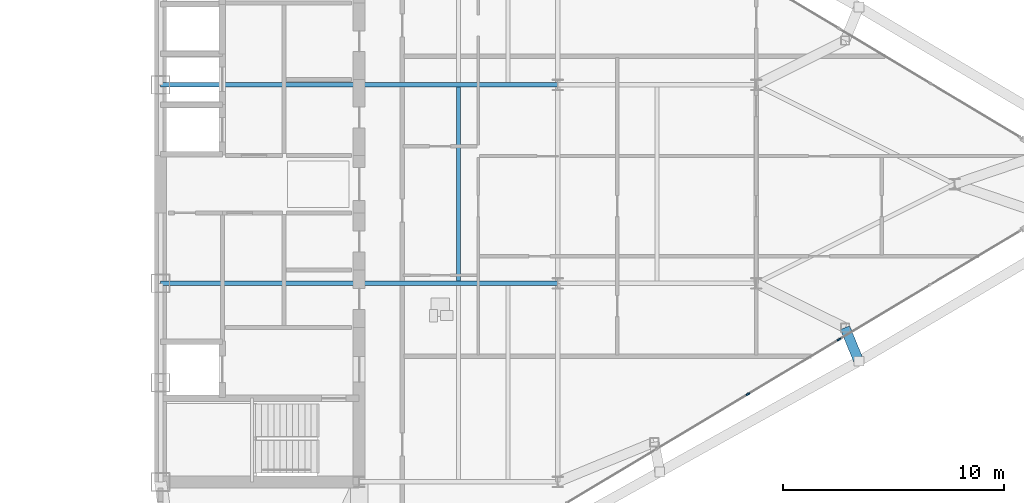
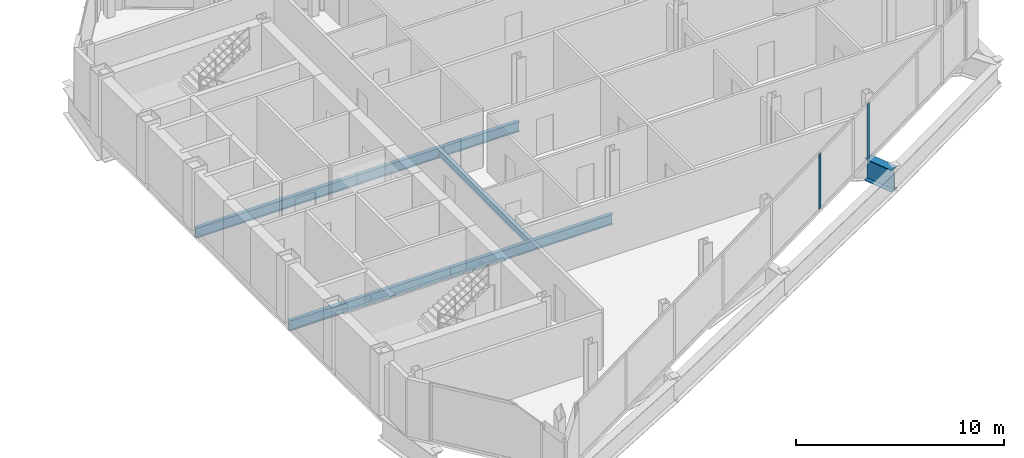
# One storey, part 15 of 29: 6 beams, 2 members, 1 element without a shape of its own.
"""IFC4 building model written with IfcOpenShell, lengths in metres."""

from ifc_helpers import new_model, si_unit, direction, frame, origin, origin_2d, place, context, subcontext, project, spatial, rectangle, i_section, extrude, source, transform, mapped, material, layer, layer_set, material_profile, profile_set, type_object, type_shapes, element, aggregate, save


model = new_model("IFC4")

# Units and contexts
model_context = context("Model", 3, precision=1e-05, world=origin(), true_north=direction((0.0, 1.0)))
body_context = subcontext(model_context, "Body", "Model", "MODEL_VIEW")
ifc_project = project(units=[si_unit("LENGTHUNIT", "METRE"), si_unit("AREAUNIT", "SQUARE_METRE"), si_unit("VOLUMEUNIT", "CUBIC_METRE"), si_unit("PLANEANGLEUNIT", "RADIAN"), si_unit("MASSUNIT", "GRAM", prefix="KILO")], contexts=[model_context])

# Site, building, storey
site_placement = place(None, origin())
site = spatial("IfcSite", under=ifc_project, at=site_placement, CompositionType="ELEMENT")
building_placement = place(site_placement, origin())
building = spatial("IfcBuilding", under=site, at=building_placement, Name="Seokmaru Belvedere", CompositionType="ELEMENT")
storey_placement = place(building_placement, frame((0.0, 0.0, 195.89990234375)))
storey = spatial("IfcBuildingStorey", under=building, at=storey_placement, Name="L52", CompositionType="ELEMENT", Elevation=195.89990234375)

# Beams
ifc_material_1 = material(Name="Steel SM355 (355 MPa)", Category="steel")
ifc_material_profile_1 = material_profile(ifc_material_1, i_section(OverallWidth=0.199951171875, OverallDepth=0.60009765625, WebThickness=0.010986328125, FlangeThickness=0.01708984375, at=origin_2d()), Name="H-600x200x11x17")
ifc_profile_set_1 = profile_set([ifc_material_profile_1], Name="Steel SM355 (355 MPa)")
beam_type_1 = type_object("IfcBeamType", Name="Primary Floor Girder H-600", PredefinedType="BEAM", material=ifc_profile_set_1)
shared_shape_1 = source(origin(), body_context, "Body", "SweptSolid", [
    extrude(i_section(OverallWidth=0.199951171875, OverallDepth=0.60009765625, WebThickness=0.010986328125, FlangeThickness=0.01708984375, at=origin_2d()), origin(), (0.0, 0.0, 1.0), 9.0),
])
type_shapes(beam_type_1, [shared_shape_1])
for number, where, z_axis, x_axis, name in (
    (1, (27.5, -4.5, -0.52001953125), (1.0, 0.0, 0.0), (0.0, 1.0, 0.0), "L52 E Core Tie Girder 2"),
    (2, (36.5, -4.5, -0.52001953125), (1.0, 0.0, 0.0), (0.0, 1.0, 0.0), "L52 E Wing Primary Girder 2"),
    (3, (27.5, 4.5, -0.52001953125), (1.0, 0.0, 0.0), (0.0, 1.0, 0.0), "L52 E Core Tie Girder 3"),
    (4, (36.5, 4.5, -0.52001953125), (1.0, 0.0, 0.0), (0.0, 1.0, 0.0), "L52 E Wing Primary Girder 3"),
):
    element("IfcBeam", number, at=place(storey_placement, frame(where, z_axis=z_axis, x_axis=x_axis)), inside=storey, type_object=beam_type_1, Name=name, PredefinedType="BEAM", context=body_context, shape_type="MappedRepresentation", body=[
        mapped(shared_shape_1, transform((0.0, 0.0, 0.0), scale=1.0)),
    ])
ifc_material_profile_2 = material_profile(ifc_material_1, i_section(OverallWidth=0.18505859375, OverallDepth=0.389892578125, WebThickness=0.008056640625, FlangeThickness=0.011962890625, at=origin_2d()), Name="H-390x185x8x12")
ifc_profile_set_2 = profile_set([ifc_material_profile_2], Name="Steel SM355 (355 MPa)")
beam_type_2 = type_object("IfcBeamType", Name="Secondary Floor Joist H-350", PredefinedType="JOIST", material=ifc_profile_set_2)
shared_shape_2 = source(origin(), body_context, "Body", "SweptSolid", [
    extrude(i_section(OverallWidth=0.18505859375, OverallDepth=0.389892578125, WebThickness=0.008056640625, FlangeThickness=0.011962890625, at=origin_2d()), origin(), (0.0, 0.0, 1.0), 8.7900390625),
])
type_shapes(beam_type_2, [shared_shape_2])
beam_1_placement = place(storey_placement, frame((41.0, -4.39501953125, -0.414794921875), z_axis=(0.0, 1.0, 0.0), x_axis=(-1.0, 0.0, 0.0)))
element("IfcBeam", 5, at=beam_1_placement, inside=storey, type_object=beam_type_2, Name="L52 E Secondary Floor Joist 2", PredefinedType="JOIST", context=body_context, shape_type="MappedRepresentation", body=[
    mapped(shared_shape_2, transform((0.0, 0.0, 0.0), scale=1.0)),
])
ifc_material_2 = material(Name="Steel HSA650 (650 MPa)", Category="steel")
ifc_material_profile_3 = material_profile(ifc_material_2, i_section(OverallWidth=0.449951171875, OverallDepth=1.300048828125, WebThickness=0.02197265625, FlangeThickness=0.0380859375, at=origin_2d()), Name="BH-1300x450x22x38")
ifc_profile_set_3 = profile_set([ifc_material_profile_3], Name="Steel HSA650 (650 MPa)")
beam_type_3 = type_object("IfcBeamType", Name="Observatory Long-Span Roof Girder BH-1300", PredefinedType="BEAM", material=ifc_profile_set_3)
shared_shape_3 = source(origin(), body_context, "Body", "SweptSolid", [
    extrude(i_section(OverallWidth=0.449951171875, OverallDepth=1.300048828125, WebThickness=0.02197265625, FlangeThickness=0.0380859375, at=origin_2d()), origin(), (0.0, 0.0, 1.0), 1.645751953125),
])
type_shapes(beam_type_3, [shared_shape_3])
beam_2_placement = place(storey_placement, frame((59.154541015625, -8.031494140625, -0.869873046875), z_axis=(-0.379458683871, 0.925208683074, 0.0), x_axis=(-0.925208683074, -0.379458683871, 0.0)))
element("IfcBeam", 6, at=beam_2_placement, inside=storey, type_object=beam_type_3, Name="L52 E Flank Setback Step Girder S-3", PredefinedType="BEAM", context=body_context, shape_type="MappedRepresentation", body=[
    mapped(shared_shape_3, transform((0.0, 0.0, 0.0), scale=1.0)),
])

# Curtain wall, members
ifc_material_3 = material(Name="Bronze Triple Insulating Glass", Category="glass")
ifc_layer = layer(ifc_material_3, 0.179931640625)
ifc_layer_set = layer_set([ifc_layer], Name="Bronze Triple Insulating Glass")
curtain_wall_type = type_object("IfcCurtainWallType", Name="High-Rise Wind-Corner Curtain Wall System CW-5", PredefinedType="NOTDEFINED", material=ifc_layer_set)
curtain_wall_placement = place(storey_placement, origin())
curtain_wall = element("IfcCurtainWall", 7, at=curtain_wall_placement, inside=storey, type_object=curtain_wall_type, Name="L52 Curtain Wall EF1", PredefinedType="NOTDEFINED")
ifc_material_4 = material(Name="Anodised Bronze Aluminium", Category="aluminium")
ifc_material_profile_4 = material_profile(ifc_material_4, rectangle(XDim=0.06494140625, YDim=0.179931640625, at=origin_2d()), Name="CW-M-65x180")
ifc_profile_set_4 = profile_set([ifc_material_profile_4], Name="Anodised Bronze Aluminium")
member_type = type_object("IfcMemberType", Name="Bronze Unitised Mullion 65x180", PredefinedType="MULLION", material=ifc_profile_set_4)
shared_shape_4 = source(origin(), body_context, "Body", "SweptSolid", [
    extrude(rectangle(XDim=0.06494140625, YDim=0.179931640625, at=origin_2d()), origin(), (0.0, 0.0, 1.0), 3.25),
])
type_shapes(member_type, [shared_shape_4])
member_1_placement = place(storey_placement, frame((54.12841796875, -9.52294921875, 0.065185546875), z_axis=(0.0, 0.0, 1.0), x_axis=(-0.514494909364, 0.85749343335, 0.0)))
member_1 = element("IfcMember", 8, at=member_1_placement, type_object=member_type, Name="CW:L52:EF1 Mullion 6", PredefinedType="MULLION", context=body_context, shape_type="MappedRepresentation", body=[
    mapped(shared_shape_4, transform((0.0, 0.0, 0.0), scale=1.0)),
])
member_2_placement = place(storey_placement, frame((58.257080078125, -7.0458984375, 0.065185546875), z_axis=(0.0, 0.0, 1.0), x_axis=(-0.514494909364, 0.85749343335, 0.0)))
member_2 = element("IfcMember", 9, at=member_2_placement, type_object=member_type, Name="CW:L52:EF1 Mullion 7", PredefinedType="MULLION", context=body_context, shape_type="MappedRepresentation", body=[
    mapped(shared_shape_4, transform((0.0, 0.0, 0.0), scale=1.0)),
])
aggregate(curtain_wall, [member_1, member_2])

save(model, "model.ifc")
